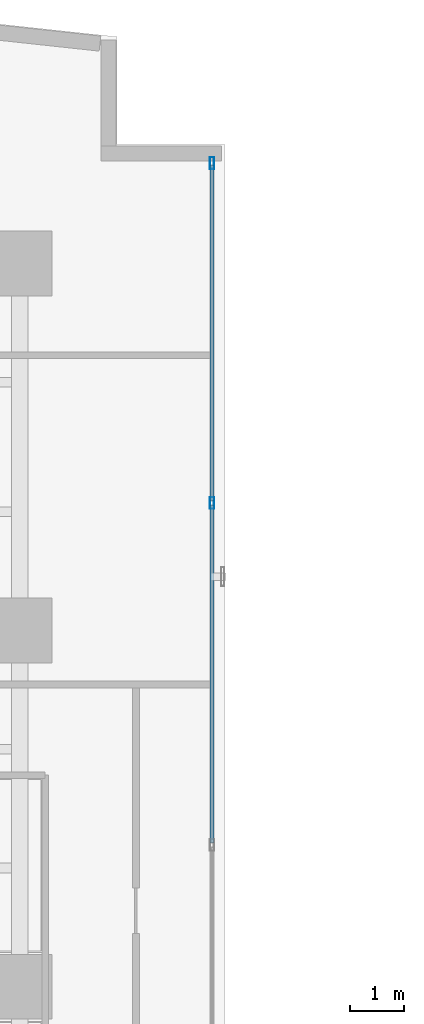
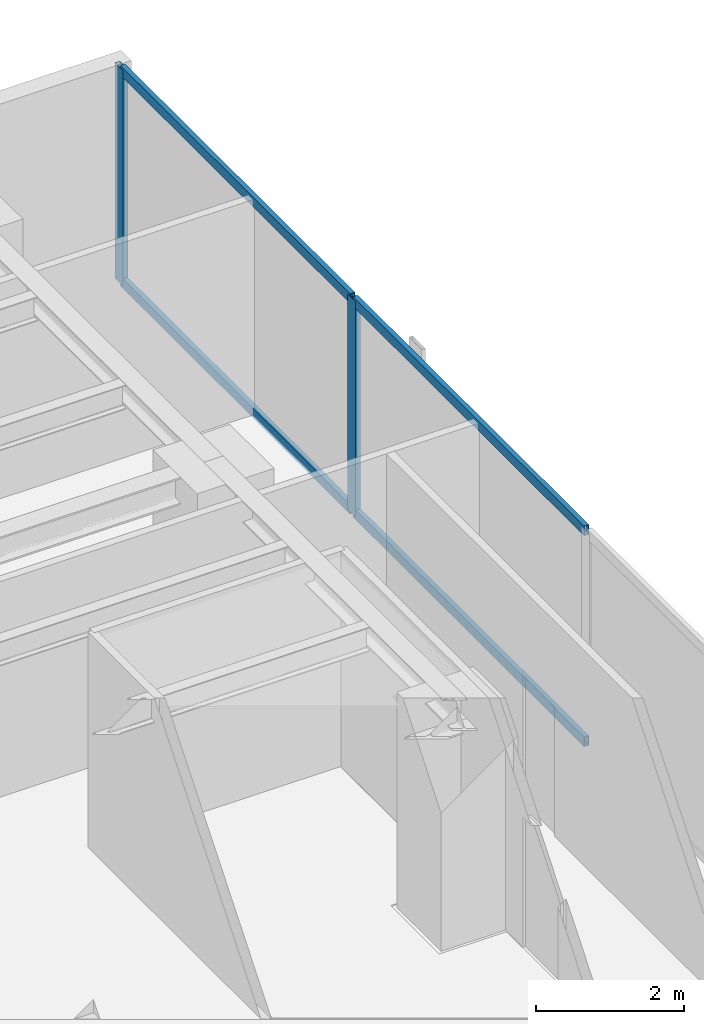
# One storey, part 17 of 24: 6 members, 1 element without a shape of its own.
"""IFC4 building model written with IfcOpenShell, lengths in metres."""

from ifc_helpers import new_model, si_unit, direction, frame, origin, origin_with_axes, origin_2d, place, context, subcontext, project, spatial, hollow_rectangle, extrude, source, transform, mapped, material, layer, layer_set, material_profile, profile_set, type_object, element, aggregate, save


model = new_model("IFC4")

# Units and contexts
model_context = context("Model", 3, precision=1e-05, world=origin(), true_north=direction((0.0, 1.0)))
body_context = subcontext(model_context, "Body", "Model", "MODEL_VIEW")
ifc_project = project(units=[si_unit("LENGTHUNIT", "METRE"), si_unit("AREAUNIT", "SQUARE_METRE"), si_unit("VOLUMEUNIT", "CUBIC_METRE"), si_unit("PLANEANGLEUNIT", "RADIAN"), si_unit("MASSUNIT", "GRAM", prefix="KILO")], contexts=[model_context])

# Site, building, storey
site_placement = place(None, origin())
site = spatial("IfcSite", under=ifc_project, at=site_placement, CompositionType="ELEMENT")
building_placement = place(site_placement, origin())
building = spatial("IfcBuilding", under=site, at=building_placement, Name="Kolvaren Waterfront Exchange", CompositionType="ELEMENT")
storey_placement = place(building_placement, frame((0.0, 0.0, 184.199951171875)))
storey = spatial("IfcBuildingStorey", under=building, at=storey_placement, Name="L47", CompositionType="ELEMENT", Elevation=184.199951171875)

# Curtain wall, members
ifc_material_1 = material(Name="Anodised bronze aluminium 6063-T6", Category="aluminium")
ifc_layer = layer(ifc_material_1, 0.219970703125, Name="Anodised bronze aluminium 6063-T6")
ifc_layer_set = layer_set([ifc_layer], Name="Anodised bronze aluminium 6063-T6")
curtain_wall_type = type_object("IfcCurtainWallType", Name="ARC-CW-SYS1", PredefinedType="USERDEFINED", material=ifc_layer_set)
curtain_wall_placement = place(storey_placement, origin())
curtain_wall = element("IfcCurtainWall", 1, at=curtain_wall_placement, inside=storey, type_object=curtain_wall_type, Name="L47 stick curtain wall CW1 (CW-L47-NE)", ObjectType="STICK CURTAIN WALL", PredefinedType="USERDEFINED")
ifc_material_2 = material(Name="Anodised aluminium 6063-T6", Category="aluminium")
ifc_material_profile_1 = material_profile(ifc_material_2, hollow_rectangle(XDim=0.080078125, YDim=0.219970703125, WallThickness=0.0048828125, at=origin_2d()), Name="ALU-MUL-220x80x5")
ifc_profile_set_1 = profile_set([ifc_material_profile_1], Name="Anodised aluminium 6063-T6")
member_type_1 = type_object("IfcMemberType", Name="ARC-CWM-220", PredefinedType="MULLION", material=ifc_profile_set_1)
shared_shape_1 = source(origin_with_axes(), body_context, "Body", "SweptSolid", [
    extrude(hollow_rectangle(XDim=0.080078125, YDim=0.219970703125, WallThickness=0.0048828125, at=origin_2d()), origin(), (0.0, 0.0, 1.0), 3.56005859375),
])
member_1_placement = place(storey_placement, frame((22.360107421875, 40.163330078125, 0.0), z_axis=(0.0, 0.0, 1.0), x_axis=(-1.0, 0.0, 0.0)))
member_1 = element("IfcMember", 2, at=member_1_placement, type_object=member_type_1, Name="CW1 mullion 3", PredefinedType="MULLION", context=body_context, shape_type="MappedRepresentation", body=[
    mapped(shared_shape_1, transform((0.0, 0.0, 0.0), x_axis=(1.0, 0.0, 0.0), y_axis=(0.0, 1.0, 0.0), z_axis=(0.0, 0.0, 1.0), scale=1.0)),
])
member_2_placement = place(storey_placement, frame((22.360107421875, 46.4599609375, 0.0), z_axis=(0.0, 0.0, 1.0), x_axis=(-1.0, 0.0, 0.0)))
member_2 = element("IfcMember", 3, at=member_2_placement, type_object=member_type_1, Name="CW1 mullion 4", PredefinedType="MULLION", context=body_context, shape_type="MappedRepresentation", body=[
    mapped(shared_shape_1, transform((0.0, 0.0, 0.0), x_axis=(1.0, 0.0, 0.0), y_axis=(0.0, 1.0, 0.0), z_axis=(0.0, 0.0, 1.0), scale=1.0)),
])
ifc_material_profile_2 = material_profile(ifc_material_2, hollow_rectangle(XDim=0.074951171875, YDim=0.159912109375, WallThickness=0.00439453125, at=origin_2d()), Name="ALU-TRN-160x75x4.5")
ifc_profile_set_2 = profile_set([ifc_material_profile_2], Name="Anodised aluminium 6063-T6")
member_type_2 = type_object("IfcMemberType", Name="ARC-CWT-160", PredefinedType="USERDEFINED", material=ifc_profile_set_2)
shared_shape_2 = source(origin_with_axes(), body_context, "Body", "SweptSolid", [
    extrude(hollow_rectangle(XDim=0.074951171875, YDim=0.159912109375, WallThickness=0.00439453125, at=origin_2d()), origin(), (0.0, 0.0, 1.0), 6.216552734375),
])
member_3_placement = place(storey_placement, frame((22.360107421875, 40.203369140625, 0.03759765625), z_axis=(0.0, 1.0, 0.0), x_axis=(-1.0, 0.0, 0.0)))
member_3 = element("IfcMember", 4, at=member_3_placement, type_object=member_type_2, Name="CW1 transom 3.1", ObjectType="TRANSOM", PredefinedType="USERDEFINED", context=body_context, shape_type="MappedRepresentation", body=[
    mapped(shared_shape_2, transform((0.0, 0.0, 0.0), x_axis=(1.0, 0.0, 0.0), y_axis=(0.0, 1.0, 0.0), z_axis=(0.0, 0.0, 1.0), scale=1.0)),
])
member_4_placement = place(storey_placement, frame((22.360107421875, 40.203369140625, 3.5224609375), z_axis=(0.0, 1.0, 0.0), x_axis=(-1.0, 0.0, 0.0)))
member_4 = element("IfcMember", 5, at=member_4_placement, type_object=member_type_2, Name="CW1 transom 3.2", ObjectType="TRANSOM", PredefinedType="USERDEFINED", context=body_context, shape_type="MappedRepresentation", body=[
    mapped(shared_shape_2, transform((0.0, 0.0, 0.0), x_axis=(1.0, 0.0, 0.0), y_axis=(0.0, 1.0, 0.0), z_axis=(0.0, 0.0, 1.0), scale=1.0)),
])
shared_shape_3 = source(origin_with_axes(), body_context, "Body", "SweptSolid", [
    extrude(hollow_rectangle(XDim=0.074951171875, YDim=0.159912109375, WallThickness=0.00439453125, at=origin_2d()), origin(), (0.0, 0.0, 1.0), 6.256591796875),
])
member_5_placement = place(storey_placement, frame((22.360107421875, 33.86669921875, 0.03759765625), z_axis=(0.0, 1.0, 0.0), x_axis=(-1.0, 0.0, 0.0)))
member_5 = element("IfcMember", 6, at=member_5_placement, type_object=member_type_2, Name="CW1 transom 2.1", ObjectType="TRANSOM", PredefinedType="USERDEFINED", context=body_context, shape_type="MappedRepresentation", body=[
    mapped(shared_shape_3, transform((0.0, 0.0, 0.0), x_axis=(1.0, 0.0, 0.0), y_axis=(0.0, 1.0, 0.0), z_axis=(0.0, 0.0, 1.0), scale=1.0)),
])
member_6_placement = place(storey_placement, frame((22.360107421875, 33.86669921875, 3.5224609375), z_axis=(0.0, 1.0, 0.0), x_axis=(-1.0, 0.0, 0.0)))
member_6 = element("IfcMember", 7, at=member_6_placement, type_object=member_type_2, Name="CW1 transom 2.2", ObjectType="TRANSOM", PredefinedType="USERDEFINED", context=body_context, shape_type="MappedRepresentation", body=[
    mapped(shared_shape_3, transform((0.0, 0.0, 0.0), x_axis=(1.0, 0.0, 0.0), y_axis=(0.0, 1.0, 0.0), z_axis=(0.0, 0.0, 1.0), scale=1.0)),
])
aggregate(curtain_wall, [member_1, member_2, member_5, member_6, member_3, member_4])

save(model, "model.ifc")
